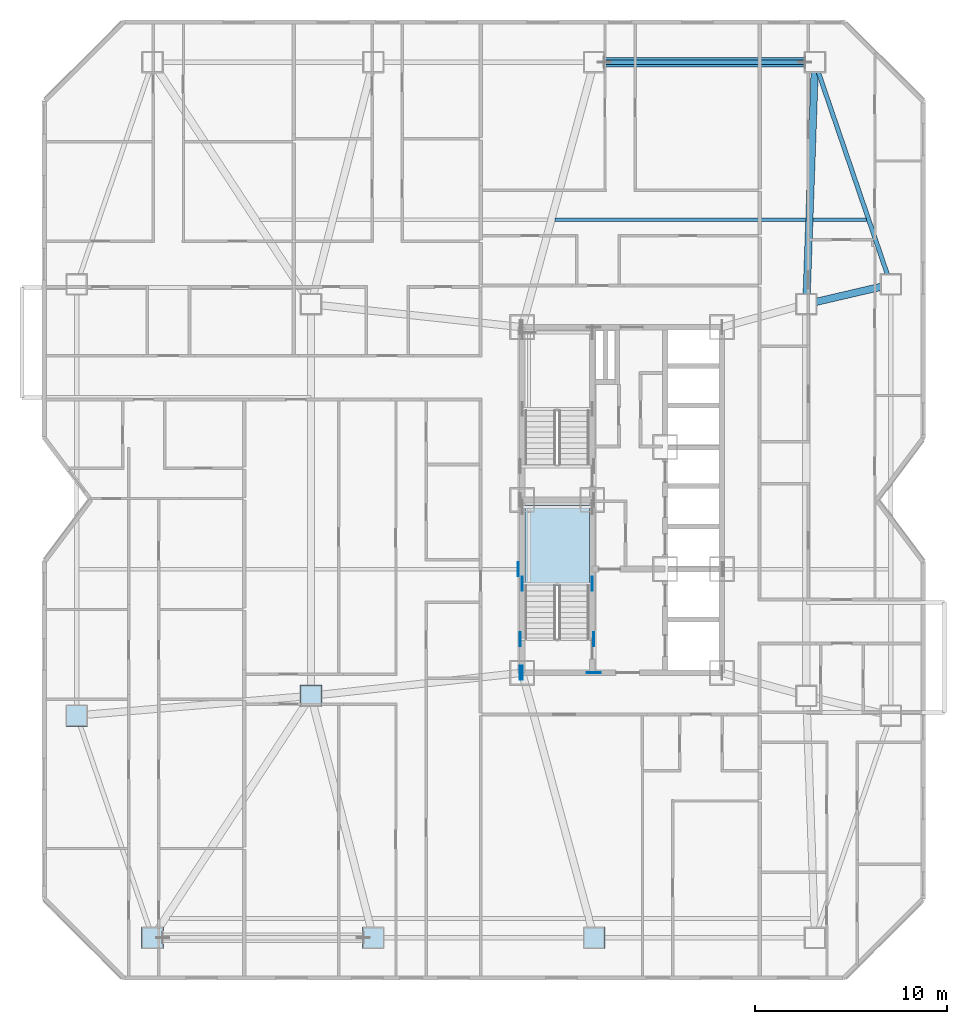
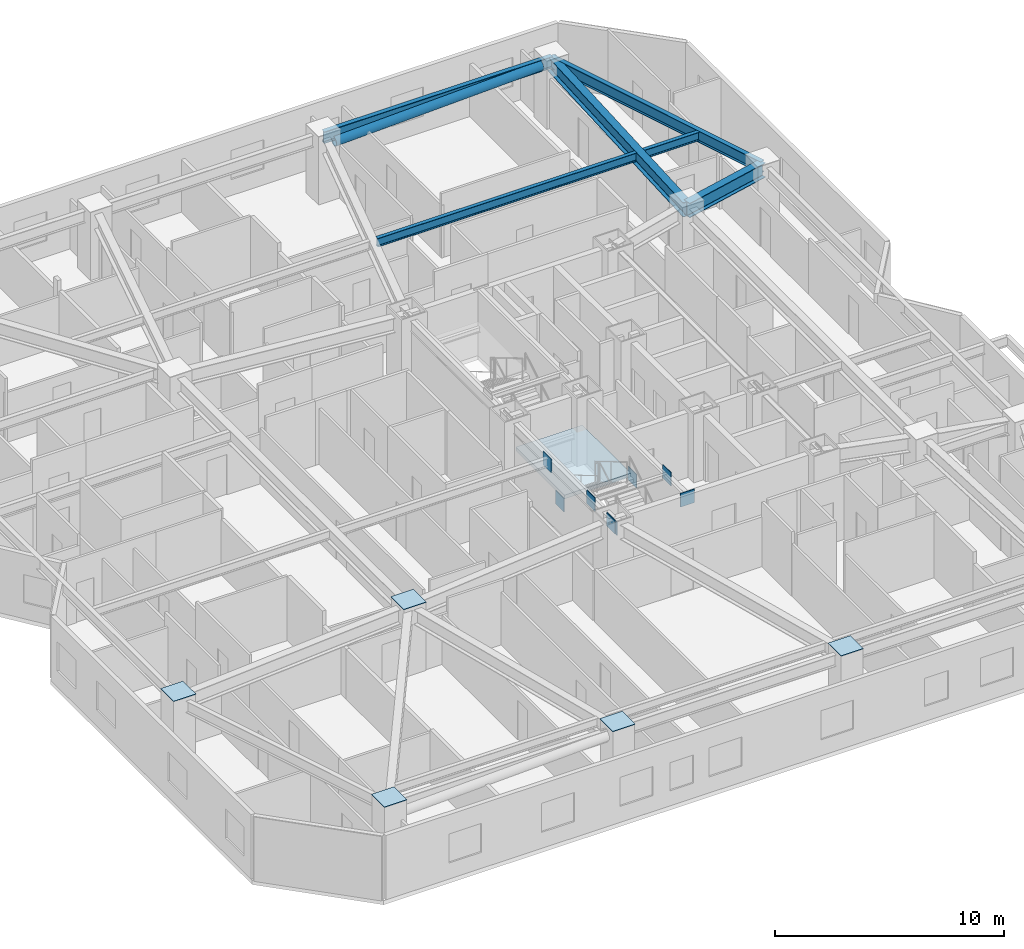
# One storey, part 2 of 17: 13 plates, 6 beams, 1 member, 1 slab, 1 element without a shape of its own.
"""IFC4 building model written with IfcOpenShell, lengths in metres."""

import ifcopenshell
import ifcopenshell.guid

model = None  # the IFC model being written
_history = None  # IfcOwnerHistory: only IFC2X3 demands one
_inside = {}  # id of a spatial element -> (the spatial element, [elements in it])
_under = {}  # id of a project, library or spatial element -> (it, [spatial elements below it])
_declared = {}  # id of a project -> (the project, [libraries it declares])
_typed = {}  # id of a type object -> (the type object, [elements of that type])
_made_of = {}  # id of a material, layer set ... -> (it, [elements and type objects made of it])


def new_model(schema):
    """Start an empty IFC model of exactly this schema.

    Asked for "IFC4X3", IfcOpenShell would pick the latest addendum, in which some entities
    have other attributes; the version numbers below select the first issue.
    IFC2X3 requires an IfcOwnerHistory on every rooted entity: one is made here for all.
    """
    global model, _history
    if schema == "IFC4X3":
        model = ifcopenshell.file(schema_version=(4, 3, 0, 0))
    else:
        model = ifcopenshell.file(schema=schema)
    _inside.clear()
    _under.clear()
    _declared.clear()
    _typed.clear()
    _made_of.clear()
    _history = None
    if model.schema == "IFC2X3":
        org = make("IfcOrganization", Name="unknown")
        user = make(
            "IfcPersonAndOrganization",
            ThePerson=make("IfcPerson", FamilyName="unknown"),
            TheOrganization=org,
        )
        app = make(
            "IfcApplication",
            ApplicationDeveloper=org,
            Version="unknown",
            ApplicationFullName="unknown",
            ApplicationIdentifier="unknown",
        )
        _history = make(
            "IfcOwnerHistory",
            OwningUser=user,
            OwningApplication=app,
            ChangeAction="ADDED",
            CreationDate=0,
        )
    return model


def make(cls, **values):
    """One entity of the class cls with the attributes given. An attribute that is None is left unset."""
    return model.create_entity(
        cls, **{name: value for name, value in values.items() if value is not None}
    )


def rooted(cls, **values):
    """An entity with a GlobalId (a new one), such as an element, a storey or a relation."""
    return make(cls, GlobalId=ifcopenshell.guid.new(), OwnerHistory=_history, **values)


def si_unit(unit_type, name, prefix=None):
    """IfcSIUnit, for example si_unit("LENGTHUNIT", "METRE", prefix="MILLI")."""
    return make("IfcSIUnit", UnitType=unit_type, Prefix=prefix, Name=name)


def assignment(units):
    """IfcUnitAssignment: the units of a project."""
    return None if units is None else make("IfcUnitAssignment", Units=units)


def point(xyz):
    """IfcCartesianPoint."""
    return None if xyz is None else make("IfcCartesianPoint", Coordinates=xyz)


def direction(xyz):
    """IfcDirection."""
    return None if xyz is None else make("IfcDirection", DirectionRatios=xyz)


def frame(location, z_axis=None, x_axis=None):
    """IfcAxis2Placement3D, a coordinate frame: its origin and axes. An axis left out is left unset."""
    return make(
        "IfcAxis2Placement3D",
        Location=point(location),
        Axis=direction(z_axis),
        RefDirection=direction(x_axis),
    )


def frame_2d(location, x_axis=None):
    """IfcAxis2Placement2D, a coordinate frame in the plane: its origin and x axis."""
    return make(
        "IfcAxis2Placement2D", Location=point(location), RefDirection=direction(x_axis)
    )


def origin():
    """The frame at (0, 0, 0) with its axes left unset."""
    return frame((0.0, 0.0, 0.0))


def origin_2d():
    """The frame at (0, 0) in the plane with its x axis left unset."""
    return frame_2d((0.0, 0.0))


def place(relative_to, where):
    """IfcLocalPlacement: puts the frame where relative to a parent placement (None: the world)."""
    return make(
        "IfcLocalPlacement", PlacementRelTo=relative_to, RelativePlacement=where
    )


def context(
    kind, dimensions, precision=None, world=None, true_north=None, identifier=None
):
    """IfcGeometricRepresentationContext, for example the 3D "Model" context."""
    return make(
        "IfcGeometricRepresentationContext",
        ContextIdentifier=identifier,
        ContextType=kind,
        CoordinateSpaceDimension=dimensions,
        Precision=precision,
        WorldCoordinateSystem=world,
        TrueNorth=true_north,
    )


def subcontext(parent, identifier, kind, view, scale=None):
    """IfcGeometricRepresentationSubContext, for example "Body" below "Model"."""
    return make(
        "IfcGeometricRepresentationSubContext",
        ContextIdentifier=identifier,
        ContextType=kind,
        ParentContext=parent,
        TargetScale=scale,
        TargetView=view,
    )


def project(units=None, contexts=None):
    """IfcProject with its units and contexts."""
    return rooted(
        "IfcProject",
        Name="project",
        RepresentationContexts=contexts,
        UnitsInContext=assignment(units),
    )


def spatial(cls, under=None, at=None, **own):
    """A site, building, storey or space (cls), placed at a placement, below another one or the project."""
    s = rooted(cls, ObjectPlacement=at, **own)
    if under is not None:
        _under.setdefault(under.id(), (under, []))[1].append(s)
    return s


def polyline(points):
    """IfcPolyline through the points."""
    return make("IfcPolyline", Points=[point(p) for p in points])


def profile(cls, at=None, kind="AREA", **sizes):
    """A parametric profile (cls). Its sizes go by their IFC names, for example OverallWidth=200.0."""
    return make(cls, ProfileType=kind, Position=at, **sizes)


def rectangle(**sizes):
    """IfcRectangleProfileDef."""
    return profile("IfcRectangleProfileDef", **sizes)


def hollow_circle(**sizes):
    """IfcCircleHollowProfileDef."""
    return profile("IfcCircleHollowProfileDef", **sizes)


def i_section(**sizes):
    """IfcIShapeProfileDef."""
    return profile("IfcIShapeProfileDef", **sizes)


def outline(outer, holes=None, kind="AREA"):
    """IfcArbitraryClosedProfileDef: a profile drawn as a closed curve; with holes, ...WithVoids."""
    if holes is None:
        return make("IfcArbitraryClosedProfileDef", ProfileType=kind, OuterCurve=outer)
    return make(
        "IfcArbitraryProfileDefWithVoids",
        ProfileType=kind,
        OuterCurve=outer,
        InnerCurves=holes,
    )


def extrude(swept, where, along, depth):
    """IfcExtrudedAreaSolid: the profile swept, set in the frame where, extruded along a direction by depth."""
    return make(
        "IfcExtrudedAreaSolid",
        SweptArea=swept,
        Position=where,
        ExtrudedDirection=direction(along),
        Depth=depth,
    )


def shape(context_of_items, identifier, shape_type, items):
    """IfcShapeRepresentation: the items that make up one representation, for example the "Body"."""
    return make(
        "IfcShapeRepresentation",
        ContextOfItems=context_of_items,
        RepresentationIdentifier=identifier,
        RepresentationType=shape_type,
        Items=items,
    )


def material(Name=None, Category=None):
    """IfcMaterial."""
    return make("IfcMaterial", Name=Name, Category=Category)


def layer(
    of_material, thickness, ventilated=None, Name=None, Category=None, Priority=None
):
    """IfcMaterialLayer: one layer of a wall or slab, of a material (None: an air gap)."""
    return make(
        "IfcMaterialLayer",
        Material=of_material,
        LayerThickness=thickness,
        IsVentilated=ventilated,
        Name=Name,
        Category=Category,
        Priority=Priority,
    )


def layer_set(layers, Name=None):
    """IfcMaterialLayerSet."""
    return make("IfcMaterialLayerSet", MaterialLayers=layers, LayerSetName=Name)


def material_profile(
    of_material, cross_section, Name=None, Category=None, Priority=None
):
    """IfcMaterialProfile: a cross section and its material."""
    return make(
        "IfcMaterialProfile",
        Name=Name,
        Material=of_material,
        Profile=cross_section,
        Priority=Priority,
        Category=Category,
    )


def profile_set(profiles, Name=None, composite=None):
    """IfcMaterialProfileSet."""
    return make(
        "IfcMaterialProfileSet",
        Name=Name,
        MaterialProfiles=profiles,
        CompositeProfile=composite,
    )


def made_of(thing, what):
    """Note that an element or type object is made of a material, layer set ...; save() writes the relation."""
    if what is not None:
        _made_of.setdefault(what.id(), (what, []))[1].append(thing)
    return thing


def type_object(cls, material=None, **own):
    """A type object (cls), such as IfcWallType, which elements share."""
    return made_of(rooted(cls, **own), material)


def element(
    cls,
    number,
    at=None,
    inside=None,
    cuts=None,
    type_object=None,
    material=None,
    context=None,
    identifier="Body",
    shape_type=None,
    held_by="IfcProductDefinitionShape",
    body=None,
    shapes=None,
    **own,
):
    """One element of the class cls, such as IfcWall. Its Tag is "e" and its number.

    at: its placement. inside: the storey or other place that contains it. cuts: it is an
    opening in that element (IfcRelVoidsElement). A single representation is given by context,
    identifier, shape_type and body (its items); several are given by shapes. held_by: the class
    of the entity that holds the representations. save() writes the other relations.
    """
    e = rooted(cls, Tag="e%d" % number, ObjectPlacement=at, **own)
    if body is not None:
        shapes = [shape(context, identifier, shape_type, body)]
    if shapes is not None:
        e.Representation = make(held_by, Representations=shapes)
    if inside is not None:
        _inside.setdefault(inside.id(), (inside, []))[1].append(e)
    if cuts is not None:
        rooted(
            "IfcRelVoidsElement", RelatingBuildingElement=cuts, RelatedOpeningElement=e
        )
    if type_object is not None:
        _typed.setdefault(type_object.id(), (type_object, []))[1].append(e)
    return made_of(e, material)


def aggregate(whole, parts):
    """IfcRelAggregates: a whole, such as a stair, and the parts it consists of."""
    return rooted("IfcRelAggregates", RelatingObject=whole, RelatedObjects=parts)


def save(model, path):
    """Write the relations noted so far, then the file.

    IfcRelAggregates (storeys below a building ...), IfcRelContainedInSpatialStructure (elements
    in a storey), IfcRelDefinesByType, IfcRelAssociatesMaterial and IfcRelDeclares: one each for
    every whole, place, type object, material and project.
    """
    for whole, parts in _under.values():
        aggregate(whole, parts)
    for where, things in _inside.values():
        rooted(
            "IfcRelContainedInSpatialStructure",
            RelatedElements=things,
            RelatingStructure=where,
        )
    for kind, things in _typed.values():
        rooted("IfcRelDefinesByType", RelatedObjects=things, RelatingType=kind)
    for what, things in _made_of.values():
        rooted("IfcRelAssociatesMaterial", RelatedObjects=things, RelatingMaterial=what)
    for by, libraries in _declared.values():
        rooted("IfcRelDeclares", RelatingContext=by, RelatedDefinitions=libraries)
    model.write(path)


model = new_model("IFC4")

# Units and contexts
model_context = context("Model", 3, precision=1e-05, world=origin(), true_north=direction((0.0, 1.0)))
body_context = subcontext(model_context, "Body", "Model", "MODEL_VIEW")
ifc_project = project(units=[si_unit("LENGTHUNIT", "METRE"), si_unit("AREAUNIT", "SQUARE_METRE"), si_unit("VOLUMEUNIT", "CUBIC_METRE"), si_unit("PLANEANGLEUNIT", "RADIAN"), si_unit("MASSUNIT", "GRAM", prefix="KILO")], contexts=[model_context])

# Site, building, storey
site_placement = place(None, origin())
site = spatial("IfcSite", under=ifc_project, at=site_placement, CompositionType="ELEMENT")
building_placement = place(site_placement, origin())
building = spatial("IfcBuilding", under=site, at=building_placement, Name="Khamvora Tower", CompositionType="ELEMENT")
storey_placement = place(building_placement, frame((0.0, 0.0, 73.449951171875)))
storey = spatial("IfcBuildingStorey", under=building, at=storey_placement, Name="L18", CompositionType="ELEMENT", Elevation=73.449951171875)

# Beams
ifc_material_1 = material(Name="Steel S355", Category="steel")
ifc_material_profile_1 = material_profile(ifc_material_1, i_section(OverallWidth=0.19189453125, OverallDepth=0.462890625, WebThickness=0.010986328125, FlangeThickness=0.01806640625, FilletRadius=0.011962890625, at=origin_2d()), Name="W460x89")
ifc_profile_set_1 = profile_set([ifc_material_profile_1], Name="Steel S355")
beam_type_1 = type_object("IfcBeamType", Name="BM-JS-W460x89", PredefinedType="JOIST", material=ifc_profile_set_1)
beam_1_placement = place(storey_placement, frame((30.714111328125, 42.60009765625, 3.197998046875), z_axis=(1.0, 0.0, 0.0), x_axis=(0.0, 1.0, 0.0)))
element("IfcBeam", 1, at=beam_1_placement, inside=storey, type_object=beam_type_1, Name="L18 secondary floor joist 10", PredefinedType="JOIST", context=body_context, shape_type="SweptSolid", body=[
    extrude(i_section(OverallWidth=0.19189453125, OverallDepth=0.462890625, WebThickness=0.010986328125, FlangeThickness=0.01806640625, FilletRadius=0.011962890625, at=origin_2d()), origin(), (0.0, 0.0, 1.0), 13.057861328125),
])
beam_2_placement = place(storey_placement, frame((44.14306640625, 42.60009765625, 3.197998046875), z_axis=(1.0, 0.0, 0.0), x_axis=(0.0, 1.0, 0.0)))
element("IfcBeam", 2, at=beam_2_placement, inside=storey, type_object=beam_type_1, Name="L18 secondary floor joist 11", PredefinedType="JOIST", context=body_context, shape_type="SweptSolid", body=[
    extrude(i_section(OverallWidth=0.19189453125, OverallDepth=0.462890625, WebThickness=0.010986328125, FlangeThickness=0.01806640625, FilletRadius=0.011962890625, at=origin_2d()), origin(), (0.0, 0.0, 1.0), 2.788818359375),
])
ifc_material_profile_2 = material_profile(ifc_material_1, i_section(OverallWidth=0.381103515625, OverallDepth=0.77294921875, WebThickness=0.01708984375, FlangeThickness=0.027099609375, FilletRadius=0.01806640625, at=origin_2d()), Name="W760x257")
ifc_profile_set_2 = profile_set([ifc_material_profile_2], Name="Steel S355")
beam_type_2 = type_object("IfcBeamType", Name="BM-PG-W760x257", PredefinedType="BEAM", material=ifc_profile_set_2)
beam_3_placement = place(storey_placement, frame((43.800048828125, 38.199951171875, 3.04296875), z_axis=(0.035687386423, 0.999363002342, 0.0), x_axis=(-0.999363002342, 0.035687386423, 0.0)))
element("IfcBeam", 3, at=beam_3_placement, inside=storey, type_object=beam_type_2, Name="L18 primary floor girder N4", PredefinedType="BEAM", context=body_context, shape_type="SweptSolid", body=[
    extrude(i_section(OverallWidth=0.381103515625, OverallDepth=0.77294921875, WebThickness=0.01708984375, FlangeThickness=0.027099609375, FilletRadius=0.01806640625, at=origin_2d()), origin(), (0.0, 0.0, 1.0), 12.608154296875),
])
beam_4_placement = place(storey_placement, frame((43.800048828125, 38.199951171875, 3.04296875), z_axis=(0.973914503503, 0.226915270237, 0.0), x_axis=(-0.226915270237, 0.973914503503, 0.0)))
element("IfcBeam", 4, at=beam_4_placement, inside=storey, type_object=beam_type_2, Name="L18 primary floor girder E2", PredefinedType="BEAM", context=body_context, shape_type="SweptSolid", body=[
    extrude(i_section(OverallWidth=0.381103515625, OverallDepth=0.77294921875, WebThickness=0.01708984375, FlangeThickness=0.027099609375, FilletRadius=0.01806640625, at=origin_2d()), origin(), (0.0, 0.0, 1.0), 4.517822265625),
])
ifc_material_profile_3 = material_profile(ifc_material_1, i_section(OverallWidth=0.22998046875, OverallDepth=0.616943359375, WebThickness=0.012939453125, FlangeThickness=0.02197265625, FilletRadius=0.013916015625, at=origin_2d()), Name="W610x140")
ifc_profile_set_3 = profile_set([ifc_material_profile_3], Name="Steel S355")
beam_type_3 = type_object("IfcBeamType", Name="BM-SP-W610x140", PredefinedType="SPANDREL", material=ifc_profile_set_3)
beam_5_placement = place(storey_placement, frame((48.199951171875, 39.22509765625, 3.1220703125), z_axis=(-0.322962893199, 0.946411628002, 0.0), x_axis=(-0.946411628002, -0.322962893199, 0.0)))
element("IfcBeam", 5, at=beam_5_placement, inside=storey, type_object=beam_type_3, Name="L18 perimeter spandrel beam E2-N4", PredefinedType="SPANDREL", context=body_context, shape_type="SweptSolid", body=[
    extrude(i_section(OverallWidth=0.22998046875, OverallDepth=0.616943359375, WebThickness=0.012939453125, FlangeThickness=0.02197265625, FilletRadius=0.013916015625, at=origin_2d()), origin(), (0.0, 0.0, 1.0), 12.23046875),
])
beam_6_placement = place(storey_placement, frame((44.25, 50.800048828125, 3.1220703125), z_axis=(-1.0, 0.0, 0.0), x_axis=(0.0, -1.0, 0.0)))
element("IfcBeam", 6, at=beam_6_placement, inside=storey, type_object=beam_type_3, Name="L18 perimeter spandrel beam N4-N3", PredefinedType="SPANDREL", context=body_context, shape_type="SweptSolid", body=[
    extrude(i_section(OverallWidth=0.22998046875, OverallDepth=0.616943359375, WebThickness=0.012939453125, FlangeThickness=0.02197265625, FilletRadius=0.013916015625, at=origin_2d()), origin(), (0.0, 0.0, 1.0), 11.5),
])

# Member
ifc_material_2 = material(Name="Steel S460", Category="steel")
ifc_material_profile_4 = material_profile(ifc_material_2, hollow_circle(Radius=0.25390625, WallThickness=0.02490234375, at=origin_2d()), Name="CHS508x25")
ifc_profile_set_4 = profile_set([ifc_material_profile_4], Name="Steel S460")
member_type = type_object("IfcMemberType", Name="MEM-BR-CHS508", PredefinedType="BRACE", material=ifc_profile_set_4)
member_placement = place(storey_placement, frame((33.280029296875, 50.800048828125, 2.699951171875), z_axis=(0.999259102168, 0.0, 0.038486968366), x_axis=(0.0, 1.0, 0.0)))
element("IfcMember", 7, at=member_placement, inside=storey, type_object=member_type, Name="L18 perimeter wind brace 2", PredefinedType="BRACE", context=body_context, shape_type="SweptSolid", body=[
    extrude(hollow_circle(Radius=0.25390625, WallThickness=0.02490234375, at=origin_2d()), origin(), (0.0, 0.0, 1.0), 10.44775390625),
])

# Plates
ifc_layer_1 = layer(ifc_material_1, 0.02490234375)
ifc_layer_set_1 = layer_set([ifc_layer_1], Name="Steel S355")
plate_type_1 = type_object("IfcPlateType", Name="PL-CAP-25", PredefinedType="SHEET", material=ifc_layer_set_1)
for number, where, z_axis, x_axis, name in (
    (8, (9.75, 5.199951171875, 3.62451171875), (0.0, 0.0, 1.0), (1.0, 0.0, 0.0), "L18 hollow section steel end cap plate 0082"),
    (9, (21.25, 5.199951171875, 3.62451171875), (0.0, 0.0, 1.0), (1.0, 0.0, 0.0), "L18 hollow section steel end cap plate 0086"),
    (10, (32.75, 5.199951171875, 3.62451171875), (0.0, 0.0, 1.0), (1.0, 0.0, 0.0), "L18 hollow section steel end cap plate 0090"),
    (11, (5.800048828125, 16.77001953125, 3.62451171875), (0.0, 0.0, 1.0), (1.0, 0.0, 0.0), "L18 hollow section steel end cap plate 0114"),
    (12, (18.0, 17.800048828125, 3.62451171875), (0.0, 0.0, 1.0), (1.0, 0.0, 0.0), "L18 hollow section steel end cap plate 0130"),
):
    element("IfcPlate", number, at=place(storey_placement, frame(where, z_axis=z_axis, x_axis=x_axis)), inside=storey, type_object=plate_type_1, Name=name, PredefinedType="SHEET", context=body_context, shape_type="SweptSolid", body=[
        extrude(rectangle(XDim=1.1298828125, YDim=1.1298828125, at=origin_2d()), origin(), (0.0, 0.0, 1.0), 0.02490234375),
    ])
ifc_layer_2 = layer(ifc_material_2, 0.034912109375)
ifc_layer_set_2 = layer_set([ifc_layer_2], Name="Steel S460")
plate_type_2 = type_object("IfcPlateType", Name="PL-EMB-35", PredefinedType="SHEET", material=ifc_layer_set_2)
for number, where, z_axis, x_axis, name in (
    (13, (29.0, 23.635009765625, 1.13427734375), (0.0, 0.0, 1.0), (1.0, 0.0, 0.0), "L18 core shear wall cast-in embed plate 0534"),
    (14, (32.64990234375, 23.635009765625, 1.13427734375), (0.0, 0.0, 1.0), (1.0, 0.0, 0.0), "L18 core shear wall cast-in embed plate 0535"),
    (15, (29.0, 19.0, 2.68310546875), (0.0, 0.0, 1.0), (1.0, 0.0, 0.0), "L18 core shear wall cast-in embed plate 0543"),
    (16, (28.89990234375, 19.0, 2.80419921875), (0.0, 0.0, 1.0), (1.0, 0.0, 0.0), "L18 core shear wall cast-in embed plate 0547"),
):
    element("IfcPlate", number, at=place(storey_placement, frame(where, z_axis=z_axis, x_axis=x_axis)), inside=storey, type_object=plate_type_2, Name=name, PredefinedType="SHEET", context=body_context, shape_type="SweptSolid", body=[
        extrude(rectangle(XDim=0.034912109375, YDim=0.719970703125, at=origin_2d()), origin(), (0.0, 0.0, 1.0), 0.719970703125),
    ])
plate_placement = place(storey_placement, frame((32.72998046875, 19.0, 2.80419921875), z_axis=(0.0, 0.0, 1.0), x_axis=(1.0, 0.0, 0.0)))
element("IfcPlate", 17, at=plate_placement, inside=storey, type_object=plate_type_2, Name="L18 core shear wall cast-in embed plate 0550", PredefinedType="SHEET", context=body_context, shape_type="SweptSolid", body=[
    extrude(rectangle(XDim=0.719970703125, YDim=0.034912109375, at=origin_2d()), origin(), (0.0, 0.0, 1.0), 0.719970703125),
])
for number, where, z_axis, x_axis, name in (
    (18, (28.89990234375, 20.75, 2.94384765625), (0.0, 0.0, 1.0), (1.0, 0.0, 0.0), "L18 core shear wall cast-in embed plate 0556"),
    (19, (32.72998046875, 20.75, 2.94384765625), (0.0, 0.0, 1.0), (1.0, 0.0, 0.0), "L18 core shear wall cast-in embed plate 0557"),
    (20, (28.800048828125, 24.39990234375, 2.837890625), (0.0, 0.0, 1.0), (1.0, 0.0, 0.0), "L18 core shear wall cast-in embed plate 0560"),
):
    element("IfcPlate", number, at=place(storey_placement, frame(where, z_axis=z_axis, x_axis=x_axis)), inside=storey, type_object=plate_type_2, Name=name, PredefinedType="SHEET", context=body_context, shape_type="SweptSolid", body=[
        extrude(rectangle(XDim=0.034912109375, YDim=0.719970703125, at=origin_2d()), origin(), (0.0, 0.0, 1.0), 0.719970703125),
    ])

# Stair, slab
ifc_material_3 = material(Name="Concrete C40/50", Category="concrete")
stair_type = type_object("IfcStairType", Name="STR-ST-01", PredefinedType="HALF_TURN_STAIR", material=ifc_material_3)
stair_placement = place(storey_placement, origin())
stair = element("IfcStair", 21, at=stair_placement, inside=storey, type_object=stair_type, Name="L18 South Tower Exit Stair ST-01", PredefinedType="HALF_TURN_STAIR")
ifc_layer_3 = layer(ifc_material_3, 0.199951171875)
ifc_layer_set_3 = layer_set([ifc_layer_3], Name="Concrete C40/50")
slab_type = type_object("IfcSlabType", Name="SLB-LND-200", PredefinedType="LANDING", material=ifc_layer_set_3)
slab_placement = place(storey_placement, frame((0.0, 0.0, 1.625)))
slab = element("IfcSlab", 22, at=slab_placement, type_object=slab_type, Name="ST-01 landing 1", PredefinedType="LANDING", context=body_context, shape_type="SweptSolid", body=[
    extrude(outline(polyline([(32.5, 23.514892578125), (32.5, 27.75), (29.14990234375, 27.75), (29.14990234375, 23.514892578125), (32.5, 23.514892578125)])), origin(), (0.0, 0.0, 1.0), 0.199951171875),
])
aggregate(stair, [slab])

save(model, "model.ifc")
